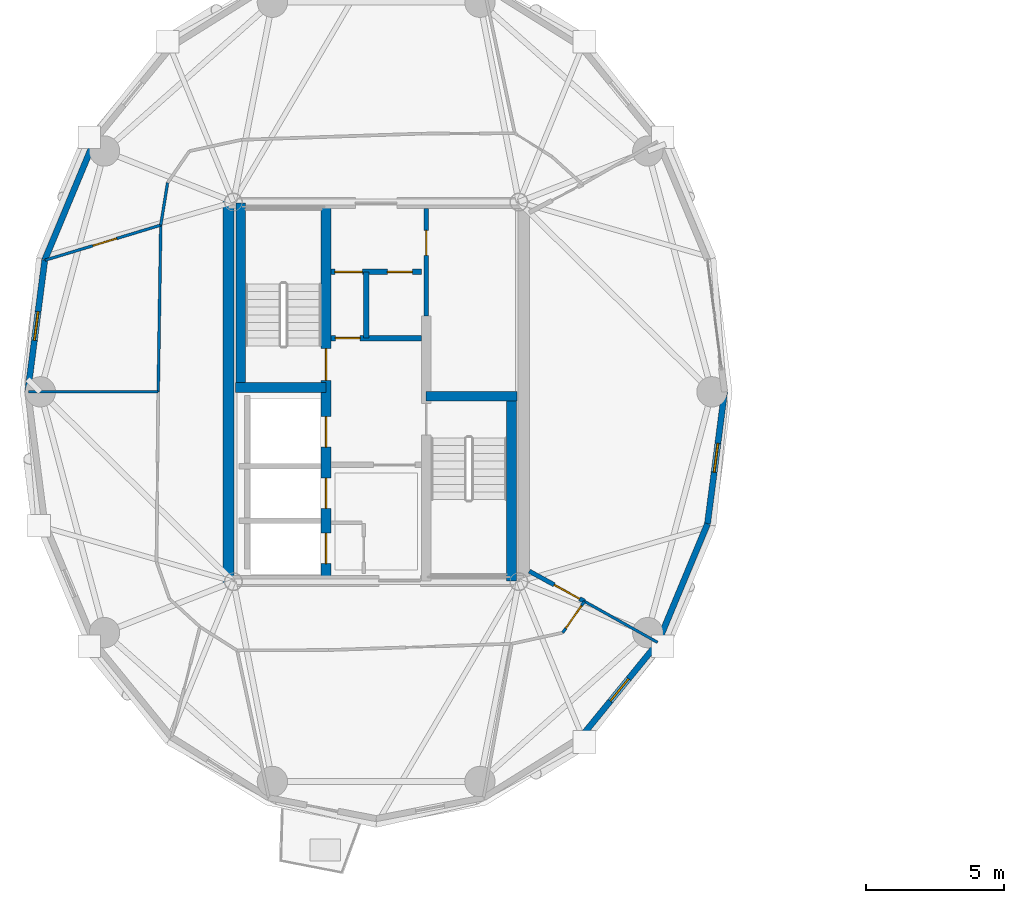
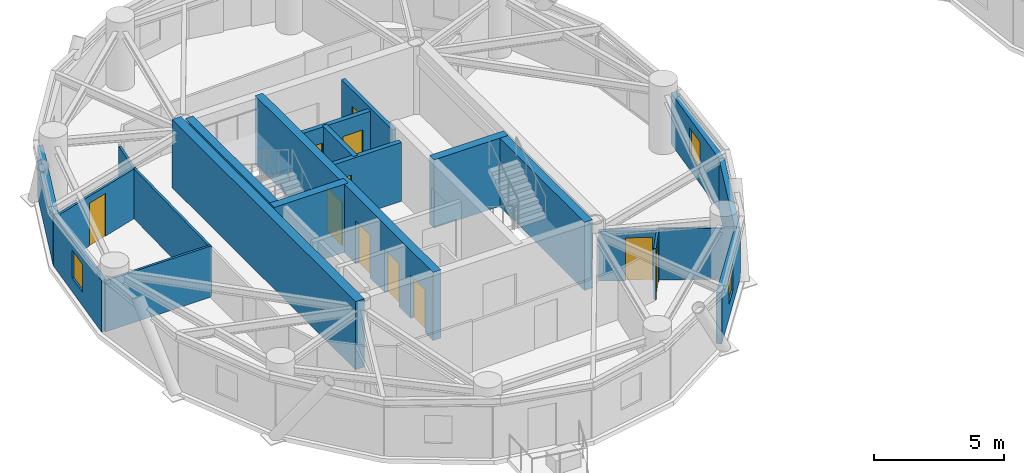
# One storey, part 8 of 15: 22 walls, 11 doors, 3 windows, 14 openings.
"""IFC4 building model written with IfcOpenShell, lengths in metres."""

import ifcopenshell
import ifcopenshell.guid

model = None  # the IFC model being written
_history = None  # IfcOwnerHistory: only IFC2X3 demands one
_inside = {}  # id of a spatial element -> (the spatial element, [elements in it])
_under = {}  # id of a project, library or spatial element -> (it, [spatial elements below it])
_declared = {}  # id of a project -> (the project, [libraries it declares])
_typed = {}  # id of a type object -> (the type object, [elements of that type])
_made_of = {}  # id of a material, layer set ... -> (it, [elements and type objects made of it])


def new_model(schema):
    """Start an empty IFC model of exactly this schema.

    Asked for "IFC4X3", IfcOpenShell would pick the latest addendum, in which some entities
    have other attributes; the version numbers below select the first issue.
    IFC2X3 requires an IfcOwnerHistory on every rooted entity: one is made here for all.
    """
    global model, _history
    if schema == "IFC4X3":
        model = ifcopenshell.file(schema_version=(4, 3, 0, 0))
    else:
        model = ifcopenshell.file(schema=schema)
    _inside.clear()
    _under.clear()
    _declared.clear()
    _typed.clear()
    _made_of.clear()
    _history = None
    if model.schema == "IFC2X3":
        org = make("IfcOrganization", Name="unknown")
        user = make(
            "IfcPersonAndOrganization",
            ThePerson=make("IfcPerson", FamilyName="unknown"),
            TheOrganization=org,
        )
        app = make(
            "IfcApplication",
            ApplicationDeveloper=org,
            Version="unknown",
            ApplicationFullName="unknown",
            ApplicationIdentifier="unknown",
        )
        _history = make(
            "IfcOwnerHistory",
            OwningUser=user,
            OwningApplication=app,
            ChangeAction="ADDED",
            CreationDate=0,
        )
    return model


def make(cls, **values):
    """One entity of the class cls with the attributes given. An attribute that is None is left unset."""
    return model.create_entity(
        cls, **{name: value for name, value in values.items() if value is not None}
    )


def rooted(cls, **values):
    """An entity with a GlobalId (a new one), such as an element, a storey or a relation."""
    return make(cls, GlobalId=ifcopenshell.guid.new(), OwnerHistory=_history, **values)


def si_unit(unit_type, name, prefix=None):
    """IfcSIUnit, for example si_unit("LENGTHUNIT", "METRE", prefix="MILLI")."""
    return make("IfcSIUnit", UnitType=unit_type, Prefix=prefix, Name=name)


def assignment(units):
    """IfcUnitAssignment: the units of a project."""
    return None if units is None else make("IfcUnitAssignment", Units=units)


def point(xyz):
    """IfcCartesianPoint."""
    return None if xyz is None else make("IfcCartesianPoint", Coordinates=xyz)


def direction(xyz):
    """IfcDirection."""
    return None if xyz is None else make("IfcDirection", DirectionRatios=xyz)


def frame(location, z_axis=None, x_axis=None):
    """IfcAxis2Placement3D, a coordinate frame: its origin and axes. An axis left out is left unset."""
    return make(
        "IfcAxis2Placement3D",
        Location=point(location),
        Axis=direction(z_axis),
        RefDirection=direction(x_axis),
    )


def frame_2d(location, x_axis=None):
    """IfcAxis2Placement2D, a coordinate frame in the plane: its origin and x axis."""
    return make(
        "IfcAxis2Placement2D", Location=point(location), RefDirection=direction(x_axis)
    )


def origin():
    """The frame at (0, 0, 0) with its axes left unset."""
    return frame((0.0, 0.0, 0.0))


def place(relative_to, where):
    """IfcLocalPlacement: puts the frame where relative to a parent placement (None: the world)."""
    return make(
        "IfcLocalPlacement", PlacementRelTo=relative_to, RelativePlacement=where
    )


def context(
    kind, dimensions, precision=None, world=None, true_north=None, identifier=None
):
    """IfcGeometricRepresentationContext, for example the 3D "Model" context."""
    return make(
        "IfcGeometricRepresentationContext",
        ContextIdentifier=identifier,
        ContextType=kind,
        CoordinateSpaceDimension=dimensions,
        Precision=precision,
        WorldCoordinateSystem=world,
        TrueNorth=true_north,
    )


def subcontext(parent, identifier, kind, view, scale=None):
    """IfcGeometricRepresentationSubContext, for example "Body" below "Model"."""
    return make(
        "IfcGeometricRepresentationSubContext",
        ContextIdentifier=identifier,
        ContextType=kind,
        ParentContext=parent,
        TargetScale=scale,
        TargetView=view,
    )


def project(units=None, contexts=None):
    """IfcProject with its units and contexts."""
    return rooted(
        "IfcProject",
        Name="project",
        RepresentationContexts=contexts,
        UnitsInContext=assignment(units),
    )


def spatial(cls, under=None, at=None, **own):
    """A site, building, storey or space (cls), placed at a placement, below another one or the project."""
    s = rooted(cls, ObjectPlacement=at, **own)
    if under is not None:
        _under.setdefault(under.id(), (under, []))[1].append(s)
    return s


def profile(cls, at=None, kind="AREA", **sizes):
    """A parametric profile (cls). Its sizes go by their IFC names, for example OverallWidth=200.0."""
    return make(cls, ProfileType=kind, Position=at, **sizes)


def rectangle(**sizes):
    """IfcRectangleProfileDef."""
    return profile("IfcRectangleProfileDef", **sizes)


def extrude(swept, where, along, depth):
    """IfcExtrudedAreaSolid: the profile swept, set in the frame where, extruded along a direction by depth."""
    return make(
        "IfcExtrudedAreaSolid",
        SweptArea=swept,
        Position=where,
        ExtrudedDirection=direction(along),
        Depth=depth,
    )


def shape(context_of_items, identifier, shape_type, items):
    """IfcShapeRepresentation: the items that make up one representation, for example the "Body"."""
    return make(
        "IfcShapeRepresentation",
        ContextOfItems=context_of_items,
        RepresentationIdentifier=identifier,
        RepresentationType=shape_type,
        Items=items,
    )


def source(mapping_origin, context_of_items, identifier, shape_type, items):
    """IfcRepresentationMap: a shape defined once, which mapped items show again and again."""
    return make(
        "IfcRepresentationMap",
        MappingOrigin=mapping_origin,
        MappedRepresentation=shape(context_of_items, identifier, shape_type, items),
    )


def transform(
    local_origin,
    x_axis=None,
    y_axis=None,
    z_axis=None,
    scale=None,
    scale2=None,
    scale3=None,
    uniform=True,
):
    """IfcCartesianTransformationOperator3D, or its non-uniform kind. x_axis, y_axis, z_axis: its Axis1, 2, 3."""
    if uniform:
        return make(
            "IfcCartesianTransformationOperator3D",
            Axis1=direction(x_axis),
            Axis2=direction(y_axis),
            LocalOrigin=point(local_origin),
            Scale=scale,
            Axis3=direction(z_axis),
        )
    return make(
        "IfcCartesianTransformationOperator3DnonUniform",
        Axis1=direction(x_axis),
        Axis2=direction(y_axis),
        LocalOrigin=point(local_origin),
        Scale=scale,
        Axis3=direction(z_axis),
        Scale2=scale2,
        Scale3=scale3,
    )


def mapped(mapping_source, mapping_target):
    """IfcMappedItem: shows the shape of a source again, moved by a transform."""
    return make(
        "IfcMappedItem", MappingSource=mapping_source, MappingTarget=mapping_target
    )


def material(Name=None, Category=None):
    """IfcMaterial."""
    return make("IfcMaterial", Name=Name, Category=Category)


def layer(
    of_material, thickness, ventilated=None, Name=None, Category=None, Priority=None
):
    """IfcMaterialLayer: one layer of a wall or slab, of a material (None: an air gap)."""
    return make(
        "IfcMaterialLayer",
        Material=of_material,
        LayerThickness=thickness,
        IsVentilated=ventilated,
        Name=Name,
        Category=Category,
        Priority=Priority,
    )


def layer_set(layers, Name=None):
    """IfcMaterialLayerSet."""
    return make("IfcMaterialLayerSet", MaterialLayers=layers, LayerSetName=Name)


def made_of(thing, what):
    """Note that an element or type object is made of a material, layer set ...; save() writes the relation."""
    if what is not None:
        _made_of.setdefault(what.id(), (what, []))[1].append(thing)
    return thing


def type_object(cls, material=None, **own):
    """A type object (cls), such as IfcWallType, which elements share."""
    return made_of(rooted(cls, **own), material)


def element(
    cls,
    number,
    at=None,
    inside=None,
    cuts=None,
    type_object=None,
    material=None,
    context=None,
    identifier="Body",
    shape_type=None,
    held_by="IfcProductDefinitionShape",
    body=None,
    shapes=None,
    **own,
):
    """One element of the class cls, such as IfcWall. Its Tag is "e" and its number.

    at: its placement. inside: the storey or other place that contains it. cuts: it is an
    opening in that element (IfcRelVoidsElement). A single representation is given by context,
    identifier, shape_type and body (its items); several are given by shapes. held_by: the class
    of the entity that holds the representations. save() writes the other relations.
    """
    e = rooted(cls, Tag="e%d" % number, ObjectPlacement=at, **own)
    if body is not None:
        shapes = [shape(context, identifier, shape_type, body)]
    if shapes is not None:
        e.Representation = make(held_by, Representations=shapes)
    if inside is not None:
        _inside.setdefault(inside.id(), (inside, []))[1].append(e)
    if cuts is not None:
        rooted(
            "IfcRelVoidsElement", RelatingBuildingElement=cuts, RelatedOpeningElement=e
        )
    if type_object is not None:
        _typed.setdefault(type_object.id(), (type_object, []))[1].append(e)
    return made_of(e, material)


def fill(opening, filler):
    """IfcRelFillsElement: the door or window that sits in an opening."""
    return rooted(
        "IfcRelFillsElement",
        RelatingOpeningElement=opening,
        RelatedBuildingElement=filler,
    )


def aggregate(whole, parts):
    """IfcRelAggregates: a whole, such as a stair, and the parts it consists of."""
    return rooted("IfcRelAggregates", RelatingObject=whole, RelatedObjects=parts)


def save(model, path):
    """Write the relations noted so far, then the file.

    IfcRelAggregates (storeys below a building ...), IfcRelContainedInSpatialStructure (elements
    in a storey), IfcRelDefinesByType, IfcRelAssociatesMaterial and IfcRelDeclares: one each for
    every whole, place, type object, material and project.
    """
    for whole, parts in _under.values():
        aggregate(whole, parts)
    for where, things in _inside.values():
        rooted(
            "IfcRelContainedInSpatialStructure",
            RelatedElements=things,
            RelatingStructure=where,
        )
    for kind, things in _typed.values():
        rooted("IfcRelDefinesByType", RelatedObjects=things, RelatingType=kind)
    for what, things in _made_of.values():
        rooted("IfcRelAssociatesMaterial", RelatedObjects=things, RelatingMaterial=what)
    for by, libraries in _declared.values():
        rooted("IfcRelDeclares", RelatingContext=by, RelatedDefinitions=libraries)
    model.write(path)


model = new_model("IFC4")

# Units and contexts
model_context = context("Model", 3, precision=1e-05, world=origin(), true_north=direction((0.0, 1.0)))
body_context = subcontext(model_context, "Body", "Model", "MODEL_VIEW")
ifc_project = project(units=[si_unit("LENGTHUNIT", "METRE"), si_unit("AREAUNIT", "SQUARE_METRE"), si_unit("VOLUMEUNIT", "CUBIC_METRE"), si_unit("PLANEANGLEUNIT", "RADIAN"), si_unit("MASSUNIT", "GRAM", prefix="KILO")], contexts=[model_context])

# Site, building, storey
site_placement = place(None, origin())
site = spatial("IfcSite", under=ifc_project, at=site_placement, CompositionType="ELEMENT")
building_placement = place(site_placement, origin())
building = spatial("IfcBuilding", under=site, at=building_placement, Name="Cununo Teusaquillo Station Towers", CompositionType="ELEMENT")
storey_placement = place(building_placement, frame((0.0, 0.0, 232.449951171875)))
storey = spatial("IfcBuildingStorey", under=building, at=storey_placement, Name="L74", CompositionType="ELEMENT", Elevation=232.449951171875)

# Wall, openings, doors
ifc_material_1 = material(Name="Concrete C50/60", Category="concrete")
ifc_layer_1 = layer(ifc_material_1, 0.35009765625)
ifc_layer_set_1 = layer_set([ifc_layer_1], Name="Concrete C50/60")
wall_type_1 = type_object("IfcWallType", Name="WL-CORE-350", PredefinedType="SHEAR", material=ifc_layer_set_1)
wall_1_placement = place(storey_placement, frame((14.68505859375, 17.64990234375, 0.0), z_axis=(0.0, 0.0, 1.0), x_axis=(0.0, 1.0, 0.0)))
wall_1 = element("IfcWall", 1, at=wall_1_placement, inside=storey, type_object=wall_type_1, Name="L74 Tower A Core Shear Wall IW", PredefinedType="SHEAR", context=body_context, shape_type="SweptSolid", body=[
    extrude(rectangle(XDim=13.7001953125, YDim=0.35009765625, at=frame_2d((6.85009765625, 0.0))), origin(), (0.0, 0.0, 1.0), 3.199951171875),
])
shared_shape_1 = source(origin(), body_context, "Body", "SweptSolid", [
    extrude(rectangle(XDim=1.10009765625, YDim=2.014892578125, at=frame_2d((0.550048828125, 1.00732421875))), frame((0.0, 0.18505859375, 0.0), z_axis=(0.0, -1.0, 0.0), x_axis=(1.0, 0.0, 0.0)), (0.0, 0.0, 1.0), 0.3701171875),
])
opening_1_placement = place(wall_1_placement, frame((4.85009765625, 0.0, 0.0)))
opening_1 = element("IfcOpeningElement", 2, at=opening_1_placement, cuts=wall_1, Name="Opening LD-01", PredefinedType="OPENING", context=body_context, shape_type="MappedRepresentation", body=[
    mapped(shared_shape_1, transform((0.0, 0.0, 0.0), x_axis=(1.0, 0.0, 0.0), y_axis=(0.0, 1.0, 0.0), z_axis=(0.0, 0.0, 1.0), scale=1.0)),
])
opening_2_placement = place(wall_1_placement, frame((0.625, 0.0, 0.0)))
opening_2 = element("IfcOpeningElement", 3, at=opening_2_placement, cuts=wall_1, Name="Opening LD-01", PredefinedType="OPENING", context=body_context, shape_type="MappedRepresentation", body=[
    mapped(shared_shape_1, transform((0.0, 0.0, 0.0), x_axis=(1.0, 0.0, 0.0), y_axis=(0.0, 1.0, 0.0), z_axis=(0.0, 0.0, 1.0), scale=1.0)),
])
opening_3_placement = place(wall_1_placement, frame((2.625, 0.0, 0.0)))
opening_3 = element("IfcOpeningElement", 4, at=opening_3_placement, cuts=wall_1, Name="Opening LD-01", PredefinedType="OPENING", context=body_context, shape_type="MappedRepresentation", body=[
    mapped(shared_shape_1, transform((0.0, 0.0, 0.0), x_axis=(1.0, 0.0, 0.0), y_axis=(0.0, 1.0, 0.0), z_axis=(0.0, 0.0, 1.0), scale=1.0)),
])
shared_shape_2 = source(origin(), body_context, "Body", "SweptSolid", [
    extrude(rectangle(XDim=1.14990234375, YDim=2.02001953125, at=frame_2d((0.574951171875, 1.010009765625))), frame((0.0, 0.18505859375, 0.0), z_axis=(0.0, -1.0, 0.0), x_axis=(1.0, 0.0, 0.0)), (0.0, 0.0, 1.0), 0.3701171875),
])
opening_4_placement = place(wall_1_placement, frame((7.27001953125, 0.0, 0.0)))
opening_4 = element("IfcOpeningElement", 5, at=opening_4_placement, cuts=wall_1, Name="Opening D-ST1", PredefinedType="OPENING", context=body_context, shape_type="MappedRepresentation", body=[
    mapped(shared_shape_2, transform((0.0, 0.0, 0.0), x_axis=(1.0, 0.0, 0.0), y_axis=(0.0, 1.0, 0.0), z_axis=(0.0, 0.0, 1.0), scale=1.0)),
])
ifc_material_2 = material(Name="Galvanised fire-rated hollow steel door assembly", Category="steel")
door_type_1 = type_object("IfcDoorType", Name="DR-LIFT-1100", OperationType="SLIDING_TO_LEFT", PredefinedType="DOOR", material=ifc_material_2)
shared_shape_3 = source(origin(), body_context, "Body", "SweptSolid", [
    extrude(rectangle(XDim=1.10009765625, YDim=2.014892578125, at=frame_2d((0.550048828125, 1.00732421875))), frame((0.0, 0.02490234375, 0.0), z_axis=(0.0, -1.0, 0.0), x_axis=(1.0, 0.0, 0.0)), (0.0, 0.0, 1.0), 0.050048828125),
])
door_1_placement = place(opening_1_placement, origin())
door_1 = element("IfcDoor", 6, at=door_1_placement, inside=storey, type_object=door_type_1, Name="L74 Lift FL-T1 Sliding Landing Door", OperationType="SLIDING_TO_LEFT", OverallHeight=2.014892578125, OverallWidth=1.10009765625, PredefinedType="DOOR", context=body_context, shape_type="MappedRepresentation", body=[
    mapped(shared_shape_3, transform((0.0, 0.0, 0.0), x_axis=(1.0, 0.0, 0.0), y_axis=(0.0, 1.0, 0.0), z_axis=(0.0, 0.0, 1.0), scale=1.0)),
])
fill(opening_1, door_1)
door_2_placement = place(opening_2_placement, origin())
door_2 = element("IfcDoor", 7, at=door_2_placement, inside=storey, type_object=door_type_1, Name="L74 Lift PL-T1-H1 Sliding Landing Door", OperationType="SLIDING_TO_LEFT", OverallHeight=2.014892578125, OverallWidth=1.10009765625, PredefinedType="DOOR", context=body_context, shape_type="MappedRepresentation", body=[
    mapped(shared_shape_3, transform((0.0, 0.0, 0.0), x_axis=(1.0, 0.0, 0.0), y_axis=(0.0, 1.0, 0.0), z_axis=(0.0, 0.0, 1.0), scale=1.0)),
])
fill(opening_2, door_2)
door_3_placement = place(opening_3_placement, origin())
door_3 = element("IfcDoor", 8, at=door_3_placement, inside=storey, type_object=door_type_1, Name="L74 Lift PL-T1-H2 Sliding Landing Door", OperationType="SLIDING_TO_RIGHT", OverallHeight=2.014892578125, OverallWidth=1.10009765625, PredefinedType="DOOR", context=body_context, shape_type="MappedRepresentation", body=[
    mapped(shared_shape_3, transform((0.0, 0.0, 0.0), x_axis=(1.0, 0.0, 0.0), y_axis=(0.0, 1.0, 0.0), z_axis=(0.0, 0.0, 1.0), scale=1.0)),
])
fill(opening_3, door_3)
ifc_material_3 = material(Name="Galvanised fire-rated hollow steel door assembly", Category="steel")
door_type_2 = type_object("IfcDoorType", Name="DR-STAIR-1150", OperationType="NOTDEFINED", PredefinedType="DOOR", material=ifc_material_3)
shared_shape_4 = source(origin(), body_context, "Body", "SweptSolid", [
    extrude(rectangle(XDim=1.14990234375, YDim=2.02001953125, at=frame_2d((0.574951171875, 1.010009765625))), frame((0.0, 0.02490234375, 0.0), z_axis=(0.0, -1.0, 0.0), x_axis=(1.0, 0.0, 0.0)), (0.0, 0.0, 1.0), 0.050048828125),
])
door_4_placement = place(opening_4_placement, origin())
door_4 = element("IfcDoor", 9, at=door_4_placement, inside=storey, type_object=door_type_2, Name="L74 Tower A Exit Stair 1 Fire Door", OperationType="SINGLE_SWING_RIGHT", OverallHeight=2.02001953125, OverallWidth=1.14990234375, PredefinedType="DOOR", context=body_context, shape_type="MappedRepresentation", body=[
    mapped(shared_shape_4, transform((0.0, 0.0, 0.0), x_axis=(1.0, 0.0, 0.0), y_axis=(0.0, 1.0, 0.0), z_axis=(0.0, 0.0, 1.0), scale=1.0)),
])
fill(opening_4, door_4)

# Walls
wall_2_placement = place(storey_placement, frame((11.594970703125, 24.655029296875, 0.0), z_axis=(0.0, 0.0, 1.0), x_axis=(0.0, 1.0, 0.0)))
element("IfcWall", 10, at=wall_2_placement, inside=storey, type_object=wall_type_1, Name="L74 Tower A Core Shear Wall ST1W", PredefinedType="SHEAR", context=body_context, shape_type="SweptSolid", body=[
    extrude(rectangle(XDim=6.695068359375, YDim=0.35009765625, at=frame_2d((3.34765625, 0.0))), origin(), (0.0, 0.0, 1.0), 3.199951171875),
])
wall_3_placement = place(storey_placement, frame((11.39990234375, 24.655029296875, 0.0), z_axis=(0.0, 0.0, 1.0), x_axis=(1.0, 0.0, 0.0)))
element("IfcWall", 11, at=wall_3_placement, inside=storey, type_object=wall_type_1, Name="L74 Tower A Core Shear Wall ST1S", PredefinedType="SHEAR", context=body_context, shape_type="SweptSolid", body=[
    extrude(rectangle(XDim=3.28515625, YDim=0.35009765625, at=frame_2d((1.642578125, 0.0))), origin(), (0.0, 0.0, 1.0), 3.199951171875),
])
wall_4_placement = place(storey_placement, frame((21.405029296875, 17.64990234375, 0.0), z_axis=(0.0, 0.0, 1.0), x_axis=(0.0, 1.0, 0.0)))
element("IfcWall", 12, at=wall_4_placement, inside=storey, type_object=wall_type_1, Name="L74 Tower A Core Shear Wall ST2E", PredefinedType="SHEAR", context=body_context, shape_type="SweptSolid", body=[
    extrude(rectangle(XDim=6.695068359375, YDim=0.35009765625, at=frame_2d((3.34765625, 0.0))), origin(), (0.0, 0.0, 1.0), 3.199951171875),
])
wall_5_placement = place(storey_placement, frame((18.31494140625, 24.344970703125, 0.0), z_axis=(0.0, 0.0, 1.0), x_axis=(1.0, 0.0, 0.0)))
element("IfcWall", 13, at=wall_5_placement, inside=storey, type_object=wall_type_1, Name="L74 Tower A Core Shear Wall ST2N", PredefinedType="SHEAR", context=body_context, shape_type="SweptSolid", body=[
    extrude(rectangle(XDim=3.28515625, YDim=0.35009765625, at=frame_2d((1.642578125, 0.0))), origin(), (0.0, 0.0, 1.0), 3.199951171875),
])
ifc_material_4 = material(Name="Concrete C50/60", Category="concrete")
ifc_layer_2 = layer(ifc_material_4, 0.39990234375)
ifc_layer_set_2 = layer_set([ifc_layer_2], Name="Concrete C50/60")
wall_type_2 = type_object("IfcWallType", Name="WL-CORE-400", PredefinedType="SHEAR", material=ifc_layer_set_2)
wall_6_placement = place(storey_placement, frame((11.14990234375, 17.449951171875, 0.0), z_axis=(0.0, 0.0, 1.0), x_axis=(0.0, 1.0, 0.0)))
element("IfcWall", 14, at=wall_6_placement, inside=storey, type_object=wall_type_2, Name="L74 Tower A Core Shear Wall W", PredefinedType="SHEAR", context=body_context, shape_type="SweptSolid", body=[
    extrude(rectangle(XDim=14.10009765625, YDim=0.39990234375, at=frame_2d((7.050048828125, 0.0))), origin(), (0.0, 0.0, 1.0), 3.199951171875),
])
ifc_material_5 = material(Name="Precast concrete C40/50", Category="concrete")
ifc_layer_3 = layer(ifc_material_5, 0.219970703125)
ifc_layer_set_3 = layer_set([ifc_layer_3], Name="Precast concrete C40/50")
wall_type_3 = type_object("IfcWallType", Name="WL-EXT-220", PredefinedType="SOLIDWALL", material=ifc_layer_set_3)
wall_7_placement = place(storey_placement, frame((4.48828125, 29.280517578125, 0.0), z_axis=(0.0, 0.0, 1.0), x_axis=(0.384036305194, 0.923317993052, 0.0)))
element("IfcWall", 15, at=wall_7_placement, inside=storey, type_object=wall_type_3, Name="L74 Tower A Exterior Facade Wall C08", PredefinedType="SOLIDWALL", context=body_context, shape_type="SweptSolid", body=[
    extrude(rectangle(XDim=4.670654296875, YDim=0.219970703125, at=frame_2d((2.33544921875, 0.0))), origin(), (0.0, 0.0, 1.0), 2.402099609375),
])

# Wall, opening, window
wall_8_placement = place(storey_placement, frame((3.8701171875, 24.5, 0.0), z_axis=(0.0, 0.0, 1.0), x_axis=(0.128241318541, 0.991742993027, 0.0)))
wall_8 = element("IfcWall", 16, at=wall_8_placement, inside=storey, type_object=wall_type_3, Name="L74 Tower A Exterior Facade Wall C09", PredefinedType="SOLIDWALL", context=body_context, shape_type="SweptSolid", body=[
    extrude(rectangle(XDim=4.8203125, YDim=0.219970703125, at=frame_2d((2.41015625, 0.0))), origin(), (0.0, 0.0, 1.0), 2.402099609375),
])
shared_shape_5 = source(origin(), body_context, "Body", "SweptSolid", [
    extrude(rectangle(XDim=1.050048828125, YDim=1.300048828125, at=frame_2d((0.52490234375, 0.64990234375))), frame((0.0, 0.119873046875, 0.0), z_axis=(0.0, -1.0, 0.0), x_axis=(1.0, 0.0, 0.0)), (0.0, 0.0, 1.0), 0.239990234375),
])
opening_5_placement = place(wall_8_placement, frame((1.885009765625, 0.0, 0.64990234375)))
opening_5 = element("IfcOpeningElement", 17, at=opening_5_placement, cuts=wall_8, Name="Opening WN-04", PredefinedType="OPENING", context=body_context, shape_type="MappedRepresentation", body=[
    mapped(shared_shape_5, transform((0.0, 0.0, 0.0), x_axis=(1.0, 0.0, 0.0), y_axis=(0.0, 1.0, 0.0), z_axis=(0.0, 0.0, 1.0), scale=1.0)),
])
ifc_material_6 = material(Name="Operable acoustic tinted low-E double glazing", Category="glass")
window_type = type_object("IfcWindowType", Name="WIN-BAL-1050", PartitioningType="SINGLE_PANEL", PredefinedType="WINDOW", material=ifc_material_6)
shared_shape_6 = source(origin(), body_context, "Body", "SweptSolid", [
    extrude(rectangle(XDim=1.050048828125, YDim=1.300048828125, at=frame_2d((0.52490234375, 0.64990234375))), frame((0.0, 0.030029296875, 0.0), z_axis=(0.0, -1.0, 0.0), x_axis=(1.0, 0.0, 0.0)), (0.0, 0.0, 1.0), 0.06005859375),
])
window_1_placement = place(opening_5_placement, origin())
window_1 = element("IfcWindow", 18, at=window_1_placement, inside=storey, type_object=window_type, Name="L74 Tower A Facade Window C09", OverallHeight=1.300048828125, OverallWidth=1.050048828125, PartitioningType="SINGLE_PANEL", PredefinedType="WINDOW", context=body_context, shape_type="MappedRepresentation", body=[
    mapped(shared_shape_6, transform((0.0, 0.0, 0.0), x_axis=(1.0, 0.0, 0.0), y_axis=(0.0, 1.0, 0.0), z_axis=(0.0, 0.0, 1.0), scale=1.0)),
])
fill(opening_5, window_1)

wall_9_placement = place(storey_placement, frame((26.718017578125, 15.406982421875, 0.0), z_axis=(0.0, 0.0, 1.0), x_axis=(-0.632467166636, -0.774587169483, 0.0)))
wall_9 = element("IfcWall", 19, at=wall_9_placement, inside=storey, type_object=wall_type_3, Name="L74 Tower A Exterior Facade Wall C17", PredefinedType="SOLIDWALL", context=body_context, shape_type="SweptSolid", body=[
    extrude(rectangle(XDim=4.418212890625, YDim=0.219970703125, at=frame_2d((2.208984375, 0.0))), origin(), (0.0, 0.0, 1.0), 2.402099609375),
])
opening_6_placement = place(wall_9_placement, frame((1.68408203125, 0.0, 0.64990234375)))
opening_6 = element("IfcOpeningElement", 20, at=opening_6_placement, cuts=wall_9, Name="Opening WN-04", PredefinedType="OPENING", context=body_context, shape_type="MappedRepresentation", body=[
    mapped(shared_shape_5, transform((0.0, 0.0, 0.0), x_axis=(1.0, 0.0, 0.0), y_axis=(0.0, 1.0, 0.0), z_axis=(0.0, 0.0, 1.0), scale=1.0)),
])
window_2_placement = place(opening_6_placement, origin())
window_2 = element("IfcWindow", 21, at=window_2_placement, inside=storey, type_object=window_type, Name="L74 Tower A Facade Window C17", OverallHeight=1.300048828125, OverallWidth=1.050048828125, PartitioningType="SINGLE_PANEL", PredefinedType="WINDOW", context=body_context, shape_type="MappedRepresentation", body=[
    mapped(shared_shape_6, transform((0.0, 0.0, 0.0), x_axis=(1.0, 0.0, 0.0), y_axis=(0.0, 1.0, 0.0), z_axis=(0.0, 0.0, 1.0), scale=1.0)),
])
fill(opening_6, window_2)

# Wall
wall_10_placement = place(storey_placement, frame((28.51171875, 19.719482421875, 0.0), z_axis=(0.0, 0.0, 1.0), x_axis=(-0.384036305194, -0.923317993052, 0.0)))
element("IfcWall", 22, at=wall_10_placement, inside=storey, type_object=wall_type_3, Name="L74 Tower A Exterior Facade Wall C18", PredefinedType="SOLIDWALL", context=body_context, shape_type="SweptSolid", body=[
    extrude(rectangle(XDim=4.670654296875, YDim=0.219970703125, at=frame_2d((2.33544921875, 0.0))), origin(), (0.0, 0.0, 1.0), 2.402099609375),
])

# Wall, opening, window
wall_11_placement = place(storey_placement, frame((29.1298828125, 24.5, 0.0), z_axis=(0.0, 0.0, 1.0), x_axis=(-0.128241318541, -0.991742993027, 0.0)))
wall_11 = element("IfcWall", 23, at=wall_11_placement, inside=storey, type_object=wall_type_3, Name="L74 Tower A Exterior Facade Wall C19", PredefinedType="SOLIDWALL", context=body_context, shape_type="SweptSolid", body=[
    extrude(rectangle(XDim=4.8203125, YDim=0.219970703125, at=frame_2d((2.41015625, 0.0))), origin(), (0.0, 0.0, 1.0), 2.402099609375),
])
opening_7_placement = place(wall_11_placement, frame((1.885009765625, 0.0, 0.64990234375)))
opening_7 = element("IfcOpeningElement", 24, at=opening_7_placement, cuts=wall_11, Name="Opening WN-04", PredefinedType="OPENING", context=body_context, shape_type="MappedRepresentation", body=[
    mapped(shared_shape_5, transform((0.0, 0.0, 0.0), x_axis=(1.0, 0.0, 0.0), y_axis=(0.0, 1.0, 0.0), z_axis=(0.0, 0.0, 1.0), scale=1.0)),
])
window_3_placement = place(opening_7_placement, origin())
window_3 = element("IfcWindow", 25, at=window_3_placement, inside=storey, type_object=window_type, Name="L74 Tower A Facade Window C19", OverallHeight=1.300048828125, OverallWidth=1.050048828125, PartitioningType="SINGLE_PANEL", PredefinedType="WINDOW", context=body_context, shape_type="MappedRepresentation", body=[
    mapped(shared_shape_6, transform((0.0, 0.0, 0.0), x_axis=(1.0, 0.0, 0.0), y_axis=(0.0, 1.0, 0.0), z_axis=(0.0, 0.0, 1.0), scale=1.0)),
])
fill(opening_7, window_3)

# Walls
ifc_material_7 = material(Name="Fire-rated gypsum plasterboard partition assembly", Category="gypsum")
ifc_layer_4 = layer(ifc_material_7, 0.10009765625)
ifc_layer_set_4 = layer_set([ifc_layer_4], Name="Fire-rated gypsum plasterboard partition assembly")
wall_type_4 = type_object("IfcWallType", Name="WL-PART-100", PredefinedType="MOVABLE", material=ifc_layer_set_4)
wall_12_placement = place(storey_placement, frame((8.93994140625, 32.078369140625, 0.0), z_axis=(0.0, 0.0, 1.0), x_axis=(-0.159148467753, -0.98725466077, 0.0)))
element("IfcWall", 26, at=wall_12_placement, inside=storey, type_object=wall_type_4, Name="L74 Tower A Corridor Ring Wall C08", PredefinedType="MOVABLE", context=body_context, shape_type="SweptSolid", body=[
    extrude(rectangle(XDim=1.553955078125, YDim=0.10009765625, at=frame_2d((0.77685546875, 0.0))), origin(), (0.0, 0.0, 1.0), 2.3349609375),
])
wall_13_placement = place(storey_placement, frame((8.692626953125, 30.544189453125, 0.0), z_axis=(0.0, 0.0, 1.0), x_axis=(-0.015307007986, -0.99988284089, 0.0)))
element("IfcWall", 27, at=wall_13_placement, inside=storey, type_object=wall_type_4, Name="L74 Tower A Corridor Ring Wall C09", PredefinedType="MOVABLE", context=body_context, shape_type="SweptSolid", body=[
    extrude(rectangle(XDim=6.044921875, YDim=0.10009765625, at=frame_2d((3.0224609375, 0.0))), origin(), (0.0, 0.0, 1.0), 2.3349609375),
])

# Wall, opening, door
wall_14_placement = place(storey_placement, frame((23.263427734375, 15.77001953125, 0.0), z_axis=(0.0, 0.0, 1.0), x_axis=(0.570743456919, 0.821128434768, 0.0)))
wall_14 = element("IfcWall", 28, at=wall_14_placement, inside=storey, type_object=wall_type_4, Name="L74 Tower A Corridor Ring Wall C17", PredefinedType="MOVABLE", context=body_context, shape_type="SweptSolid", body=[
    extrude(rectangle(XDim=1.381591796875, YDim=0.10009765625, at=frame_2d((0.69091796875, 0.0))), origin(), (0.0, 0.0, 1.0), 2.402099609375),
])
shared_shape_7 = source(origin(), body_context, "Body", "SweptSolid", [
    extrude(rectangle(XDim=1.0, YDim=2.014892578125, at=frame_2d((0.5, 1.00732421875))), frame((0.0, 0.06005859375, 0.0), z_axis=(0.0, -1.0, 0.0), x_axis=(1.0, 0.0, 0.0)), (0.0, 0.0, 1.0), 0.1201171875),
])
opening_8_placement = place(wall_14_placement, frame((0.19091796875, 0.0, 0.0)))
opening_8 = element("IfcOpeningElement", 29, at=opening_8_placement, cuts=wall_14, Name="Opening D-AC1", PredefinedType="OPENING", context=body_context, shape_type="MappedRepresentation", body=[
    mapped(shared_shape_7, transform((0.0, 0.0, 0.0), x_axis=(1.0, 0.0, 0.0), y_axis=(0.0, 1.0, 0.0), z_axis=(0.0, 0.0, 1.0), scale=1.0)),
])
ifc_material_8 = material(Name="Acoustic solid-core hardwood leaf assembly", Category="wood")
door_type_3 = type_object("IfcDoorType", Name="DR-ACC-1000", OperationType="NOTDEFINED", PredefinedType="DOOR", material=ifc_material_8)
shared_shape_8 = source(origin(), body_context, "Body", "SweptSolid", [
    extrude(rectangle(XDim=1.0, YDim=2.014892578125, at=frame_2d((0.5, 1.00732421875))), frame((0.0, 0.02490234375, 0.0), z_axis=(0.0, -1.0, 0.0), x_axis=(1.0, 0.0, 0.0)), (0.0, 0.0, 1.0), 0.050048828125),
])
door_5_placement = place(opening_8_placement, origin())
door_5 = element("IfcDoor", 30, at=door_5_placement, inside=storey, type_object=door_type_3, Name="L74 Tower A Public Accessible Restroom WC Entrance Door", OperationType="SINGLE_SWING_LEFT", OverallHeight=2.014892578125, OverallWidth=1.0, PredefinedType="DOOR", context=body_context, shape_type="MappedRepresentation", body=[
    mapped(shared_shape_8, transform((0.0, 0.0, 0.0), x_axis=(1.0, 0.0, 0.0), y_axis=(0.0, 1.0, 0.0), z_axis=(0.0, 0.0, 1.0), scale=1.0)),
])
fill(opening_8, door_5)

# Walls
wall_15_placement = place(storey_placement, frame((8.60009765625, 24.5, 0.0), z_axis=(0.0, 0.0, 1.0), x_axis=(-1.0, 0.0, 0.0)))
element("IfcWall", 31, at=wall_15_placement, inside=storey, type_object=wall_type_4, Name="L74 Tower A Radial Suite Partition R03", PredefinedType="MOVABLE", context=body_context, shape_type="SweptSolid", body=[
    extrude(rectangle(XDim=4.710205078125, YDim=0.10009765625, at=frame_2d((2.35498046875, 0.0))), origin(), (0.0, 0.0, 1.0), 2.402099609375),
])
wall_16_placement = place(storey_placement, frame((24.052001953125, 16.904541015625, 0.0), z_axis=(0.0, 0.0, 1.0), x_axis=(0.872220814965, -0.489112308106, 0.0)))
element("IfcWall", 32, at=wall_16_placement, inside=storey, type_object=wall_type_4, Name="L74 Tower A Radial Suite Partition R06", PredefinedType="MOVABLE", context=body_context, shape_type="SweptSolid", body=[
    extrude(rectangle(XDim=3.037841796875, YDim=0.10009765625, at=frame_2d((1.51904296875, 0.0))), origin(), (0.0, 0.0, 1.0), 2.402099609375),
])

# Wall, opening, door
wall_17_placement = place(storey_placement, frame((8.692626953125, 30.544189453125, 0.0), z_axis=(0.0, 0.0, 1.0), x_axis=(-0.956933754187, -0.290306372814, 0.0)))
wall_17 = element("IfcWall", 33, at=wall_17_placement, inside=storey, type_object=wall_type_4, Name="L74 Tower A North Bogota Sabana Viewing Gallery Suite Subdividing Wall", PredefinedType="MOVABLE", context=body_context, shape_type="SweptSolid", body=[
    extrude(rectangle(XDim=4.3740234375, YDim=0.10009765625, at=frame_2d((2.18701171875, 0.0))), origin(), (0.0, 0.0, 1.0), 2.3349609375),
])
shared_shape_9 = source(origin(), body_context, "Body", "SweptSolid", [
    extrude(rectangle(XDim=0.89990234375, YDim=2.0048828125, at=frame_2d((0.449951171875, 1.00244140625))), frame((0.0, 0.06005859375, 0.0), z_axis=(0.0, -1.0, 0.0), x_axis=(1.0, 0.0, 0.0)), (0.0, 0.0, 1.0), 0.1201171875),
])
opening_9_placement = place(wall_17_placement, frame((1.673828125, 0.0, 0.0)))
opening_9 = element("IfcOpeningElement", 34, at=opening_9_placement, cuts=wall_17, Name="Opening D-IN1", PredefinedType="OPENING", context=body_context, shape_type="MappedRepresentation", body=[
    mapped(shared_shape_9, transform((0.0, 0.0, 0.0), x_axis=(1.0, 0.0, 0.0), y_axis=(0.0, 1.0, 0.0), z_axis=(0.0, 0.0, 1.0), scale=1.0)),
])
ifc_material_9 = material(Name="Acoustic solid-core hardwood leaf assembly", Category="wood")
door_type_4 = type_object("IfcDoorType", Name="DR-INT-900", OperationType="NOTDEFINED", PredefinedType="DOOR", material=ifc_material_9)
shared_shape_10 = source(origin(), body_context, "Body", "SweptSolid", [
    extrude(rectangle(XDim=0.89990234375, YDim=2.0048828125, at=frame_2d((0.449951171875, 1.00244140625))), frame((0.0, 0.02490234375, 0.0), z_axis=(0.0, -1.0, 0.0), x_axis=(1.0, 0.0, 0.0)), (0.0, 0.0, 1.0), 0.050048828125),
])
door_6_placement = place(opening_9_placement, origin())
door_6 = element("IfcDoor", 35, at=door_6_placement, inside=storey, type_object=door_type_4, Name="L74 Tower A North Bogota Sabana Viewing Gallery Suite Connecting Door", OperationType="SINGLE_SWING_LEFT", OverallHeight=2.0048828125, OverallWidth=0.89990234375, PredefinedType="DOOR", context=body_context, shape_type="MappedRepresentation", body=[
    mapped(shared_shape_10, transform((0.0, 0.0, 0.0), x_axis=(1.0, 0.0, 0.0), y_axis=(0.0, 1.0, 0.0), z_axis=(0.0, 0.0, 1.0), scale=1.0)),
])
fill(opening_9, door_6)

ifc_material_10 = material(Name="Fire-rated gypsum plasterboard partition assembly", Category="gypsum")
ifc_layer_5 = layer(ifc_material_10, 0.159912109375)
ifc_layer_set_5 = layer_set([ifc_layer_5], Name="Fire-rated gypsum plasterboard partition assembly")
wall_type_5 = type_object("IfcWallType", Name="WL-PART-160", PredefinedType="PARTITIONING", material=ifc_layer_set_5)
wall_18_placement = place(storey_placement, frame((18.31494140625, 27.25, 0.0), z_axis=(0.0, 0.0, 1.0), x_axis=(0.0, 1.0, 0.0)))
wall_18 = element("IfcWall", 36, at=wall_18_placement, inside=storey, type_object=wall_type_5, Name="L74 Tower A Reclaimed Core Bay Entry Wall", PredefinedType="PARTITIONING", context=body_context, shape_type="SweptSolid", body=[
    extrude(rectangle(XDim=3.89990234375, YDim=0.159912109375, at=frame_2d((1.949951171875, 0.0))), origin(), (0.0, 0.0, 1.0), 2.76513671875),
])
shared_shape_11 = source(origin(), body_context, "Body", "SweptSolid", [
    extrude(rectangle(XDim=0.89990234375, YDim=2.0048828125, at=frame_2d((0.449951171875, 1.00244140625))), frame((0.0, 0.08984375, 0.0), z_axis=(0.0, -1.0, 0.0), x_axis=(1.0, 0.0, 0.0)), (0.0, 0.0, 1.0), 0.179931640625),
])
opening_10_placement = place(wall_18_placement, frame((2.199951171875, 0.0, 0.0)))
opening_10 = element("IfcOpeningElement", 37, at=opening_10_placement, cuts=wall_18, Name="Opening D-IN1", PredefinedType="OPENING", context=body_context, shape_type="MappedRepresentation", body=[
    mapped(shared_shape_11, transform((0.0, 0.0, 0.0), x_axis=(1.0, 0.0, 0.0), y_axis=(0.0, 1.0, 0.0), z_axis=(0.0, 0.0, 1.0), scale=1.0)),
])
door_7_placement = place(opening_10_placement, origin())
door_7 = element("IfcDoor", 38, at=door_7_placement, inside=storey, type_object=door_type_4, Name="L74 Tower A Reclaimed Core Lounge Door", OperationType="SINGLE_SWING_RIGHT", OverallHeight=2.0048828125, OverallWidth=0.89990234375, PredefinedType="DOOR", context=body_context, shape_type="MappedRepresentation", body=[
    mapped(shared_shape_10, transform((0.0, 0.0, 0.0), x_axis=(1.0, 0.0, 0.0), y_axis=(0.0, 1.0, 0.0), z_axis=(0.0, 0.0, 1.0), scale=1.0)),
])
fill(opening_10, door_7)

wall_19_placement = place(storey_placement, frame((22.050048828125, 18.0, 0.0), z_axis=(0.0, 0.0, 1.0), x_axis=(0.877252891813, -0.480028503118, 0.0)))
wall_19 = element("IfcWall", 39, at=wall_19_placement, inside=storey, type_object=wall_type_5, Name="L74 Tower A East Salon Corridor Portal Wall SE", PredefinedType="PARTITIONING", context=body_context, shape_type="SweptSolid", body=[
    extrude(rectangle(XDim=2.281982421875, YDim=0.159912109375, at=frame_2d((1.14111328125, 0.0))), origin(), (0.0, 0.0, 1.0), 2.3349609375),
])
shared_shape_12 = source(origin(), body_context, "Body", "SweptSolid", [
    extrude(rectangle(XDim=1.050048828125, YDim=2.014892578125, at=frame_2d((0.52490234375, 1.00732421875))), frame((0.0, 0.08984375, 0.0), z_axis=(0.0, -1.0, 0.0), x_axis=(1.0, 0.0, 0.0)), (0.0, 0.0, 1.0), 0.179931640625),
])
opening_11_placement = place(wall_19_placement, frame((1.031982421875, 0.0, 0.0)))
opening_11 = element("IfcOpeningElement", 40, at=opening_11_placement, cuts=wall_19, Name="Opening D-SU1", PredefinedType="OPENING", context=body_context, shape_type="MappedRepresentation", body=[
    mapped(shared_shape_12, transform((0.0, 0.0, 0.0), x_axis=(1.0, 0.0, 0.0), y_axis=(0.0, 1.0, 0.0), z_axis=(0.0, 0.0, 1.0), scale=1.0)),
])
ifc_material_11 = material(Name="Acoustic solid-core hardwood leaf assembly", Category="wood")
door_type_5 = type_object("IfcDoorType", Name="DR-SUITE-1050", OperationType="NOTDEFINED", PredefinedType="DOOR", material=ifc_material_11)
shared_shape_13 = source(origin(), body_context, "Body", "SweptSolid", [
    extrude(rectangle(XDim=1.050048828125, YDim=2.014892578125, at=frame_2d((0.52490234375, 1.00732421875))), frame((0.0, 0.02490234375, 0.0), z_axis=(0.0, -1.0, 0.0), x_axis=(1.0, 0.0, 0.0)), (0.0, 0.0, 1.0), 0.050048828125),
])
door_8_placement = place(opening_11_placement, origin())
door_8 = element("IfcDoor", 41, at=door_8_placement, inside=storey, type_object=door_type_5, Name="L74 Tower A East Panorama Sky Salon Door SE", OperationType="SINGLE_SWING_RIGHT", OverallHeight=2.014892578125, OverallWidth=1.050048828125, PredefinedType="DOOR", context=body_context, shape_type="MappedRepresentation", body=[
    mapped(shared_shape_13, transform((0.0, 0.0, 0.0), x_axis=(1.0, 0.0, 0.0), y_axis=(0.0, 1.0, 0.0), z_axis=(0.0, 0.0, 1.0), scale=1.0)),
])
fill(opening_11, door_8)

ifc_material_12 = material(Name="Fire-rated gypsum plasterboard partition assembly", Category="gypsum")
ifc_layer_6 = layer(ifc_material_12, 0.199951171875)
ifc_layer_set_6 = layer_set([ifc_layer_6], Name="Fire-rated gypsum plasterboard partition assembly")
wall_type_6 = type_object("IfcWallType", Name="WL-PART-200", PredefinedType="PARTITIONING", material=ifc_layer_set_6)
wall_20_placement = place(storey_placement, frame((14.860107421875, 26.449951171875, 0.0), z_axis=(0.0, 0.0, 1.0), x_axis=(1.0, 0.0, 0.0)))
wall_20 = element("IfcWall", 42, at=wall_20_placement, inside=storey, type_object=wall_type_6, Name="L74 Tower A Firefighting Lift Lobby North Fire Wall", PredefinedType="PARTITIONING", context=body_context, shape_type="SweptSolid", body=[
    extrude(rectangle(XDim=3.27978515625, YDim=0.199951171875, at=frame_2d((1.639892578125, 0.0))), origin(), (0.0, 0.0, 1.0), 2.76513671875),
])
shared_shape_14 = source(origin(), body_context, "Body", "SweptSolid", [
    extrude(rectangle(XDim=0.89990234375, YDim=2.0048828125, at=frame_2d((0.449951171875, 1.00244140625))), frame((0.0, 0.10986328125, 0.0), z_axis=(0.0, -1.0, 0.0), x_axis=(1.0, 0.0, 0.0)), (0.0, 0.0, 1.0), 0.219970703125),
])
opening_12_placement = place(wall_20_placement, frame((0.159912109375, 0.0, 0.0)))
opening_12 = element("IfcOpeningElement", 43, at=opening_12_placement, cuts=wall_20, Name="Opening D-SR1", PredefinedType="OPENING", context=body_context, shape_type="MappedRepresentation", body=[
    mapped(shared_shape_14, transform((0.0, 0.0, 0.0), x_axis=(1.0, 0.0, 0.0), y_axis=(0.0, 1.0, 0.0), z_axis=(0.0, 0.0, 1.0), scale=1.0)),
])
ifc_material_13 = material(Name="Galvanised fire-rated hollow steel door assembly", Category="steel")
door_type_6 = type_object("IfcDoorType", Name="DR-STORE-900", OperationType="NOTDEFINED", PredefinedType="DOOR", material=ifc_material_13)
door_9_placement = place(opening_12_placement, origin())
door_9 = element("IfcDoor", 44, at=door_9_placement, inside=storey, type_object=door_type_6, Name="L74 Tower A Stair 1 Protected Vestibule South Door", OperationType="SINGLE_SWING_RIGHT", OverallHeight=2.0048828125, OverallWidth=0.89990234375, PredefinedType="DOOR", context=body_context, shape_type="MappedRepresentation", body=[
    mapped(shared_shape_10, transform((0.0, 0.0, 0.0), x_axis=(1.0, 0.0, 0.0), y_axis=(0.0, 1.0, 0.0), z_axis=(0.0, 0.0, 1.0), scale=1.0)),
])
fill(opening_12, door_9)

# Wall
wall_21_placement = place(storey_placement, frame((16.14990234375, 26.449951171875, 0.0), z_axis=(0.0, 0.0, 1.0), x_axis=(0.0, 1.0, 0.0)))
element("IfcWall", 45, at=wall_21_placement, inside=storey, type_object=wall_type_6, Name="L74 Tower A Stair 1 Vestibule Partition Wall", PredefinedType="PARTITIONING", context=body_context, shape_type="SweptSolid", body=[
    extrude(rectangle(XDim=2.400146484375, YDim=0.199951171875, at=frame_2d((1.2001953125, 0.0))), origin(), (0.0, 0.0, 1.0), 2.76513671875),
])

# Wall, openings, doors
wall_22_placement = place(storey_placement, frame((14.860107421875, 28.85009765625, 0.0), z_axis=(0.0, 0.0, 1.0), x_axis=(1.0, 0.0, 0.0)))
wall_22 = element("IfcWall", 46, at=wall_22_placement, inside=storey, type_object=wall_type_6, Name="L74 Tower A North Lift Lobby South Fire Wall", PredefinedType="PARTITIONING", context=body_context, shape_type="SweptSolid", body=[
    extrude(rectangle(XDim=3.27978515625, YDim=0.199951171875, at=frame_2d((1.639892578125, 0.0))), origin(), (0.0, 0.0, 1.0), 2.76513671875),
])
shared_shape_15 = source(origin(), body_context, "Body", "SweptSolid", [
    extrude(rectangle(XDim=1.0, YDim=2.014892578125, at=frame_2d((0.5, 1.00732421875))), frame((0.0, 0.10986328125, 0.0), z_axis=(0.0, -1.0, 0.0), x_axis=(1.0, 0.0, 0.0)), (0.0, 0.0, 1.0), 0.219970703125),
])
opening_13_placement = place(wall_22_placement, frame((0.139892578125, 0.0, 0.0)))
opening_13 = element("IfcOpeningElement", 47, at=opening_13_placement, cuts=wall_22, Name="Opening D-AC1", PredefinedType="OPENING", context=body_context, shape_type="MappedRepresentation", body=[
    mapped(shared_shape_15, transform((0.0, 0.0, 0.0), x_axis=(1.0, 0.0, 0.0), y_axis=(0.0, 1.0, 0.0), z_axis=(0.0, 0.0, 1.0), scale=1.0)),
])
opening_14_placement = place(wall_22_placement, frame((2.050048828125, 0.0, 0.0)))
opening_14 = element("IfcOpeningElement", 48, at=opening_14_placement, cuts=wall_22, Name="Opening D-SR1", PredefinedType="OPENING", context=body_context, shape_type="MappedRepresentation", body=[
    mapped(shared_shape_14, transform((0.0, 0.0, 0.0), x_axis=(1.0, 0.0, 0.0), y_axis=(0.0, 1.0, 0.0), z_axis=(0.0, 0.0, 1.0), scale=1.0)),
])
door_10_placement = place(opening_14_placement, origin())
door_10 = element("IfcDoor", 49, at=door_10_placement, inside=storey, type_object=door_type_6, Name="L74 Tower A Core Housekeeping & Linen Store Door", OperationType="SINGLE_SWING_LEFT", OverallHeight=2.0048828125, OverallWidth=0.89990234375, PredefinedType="DOOR", context=body_context, shape_type="MappedRepresentation", body=[
    mapped(shared_shape_10, transform((0.0, 0.0, 0.0), x_axis=(1.0, 0.0, 0.0), y_axis=(0.0, 1.0, 0.0), z_axis=(0.0, 0.0, 1.0), scale=1.0)),
])
fill(opening_14, door_10)
door_11_placement = place(opening_13_placement, origin())
door_11 = element("IfcDoor", 50, at=door_11_placement, inside=storey, type_object=door_type_3, Name="L74 Tower A North Lift Lobby to Stair 1 Vestibule Door", OperationType="SINGLE_SWING_LEFT", OverallHeight=2.014892578125, OverallWidth=1.0, PredefinedType="DOOR", context=body_context, shape_type="MappedRepresentation", body=[
    mapped(shared_shape_8, transform((0.0, 0.0, 0.0), x_axis=(1.0, 0.0, 0.0), y_axis=(0.0, 1.0, 0.0), z_axis=(0.0, 0.0, 1.0), scale=1.0)),
])
fill(opening_13, door_11)

save(model, "model.ifc")
